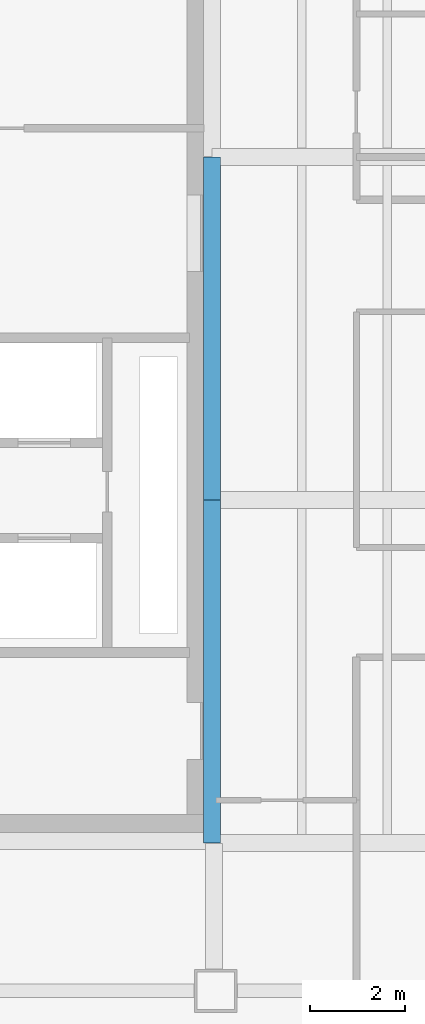
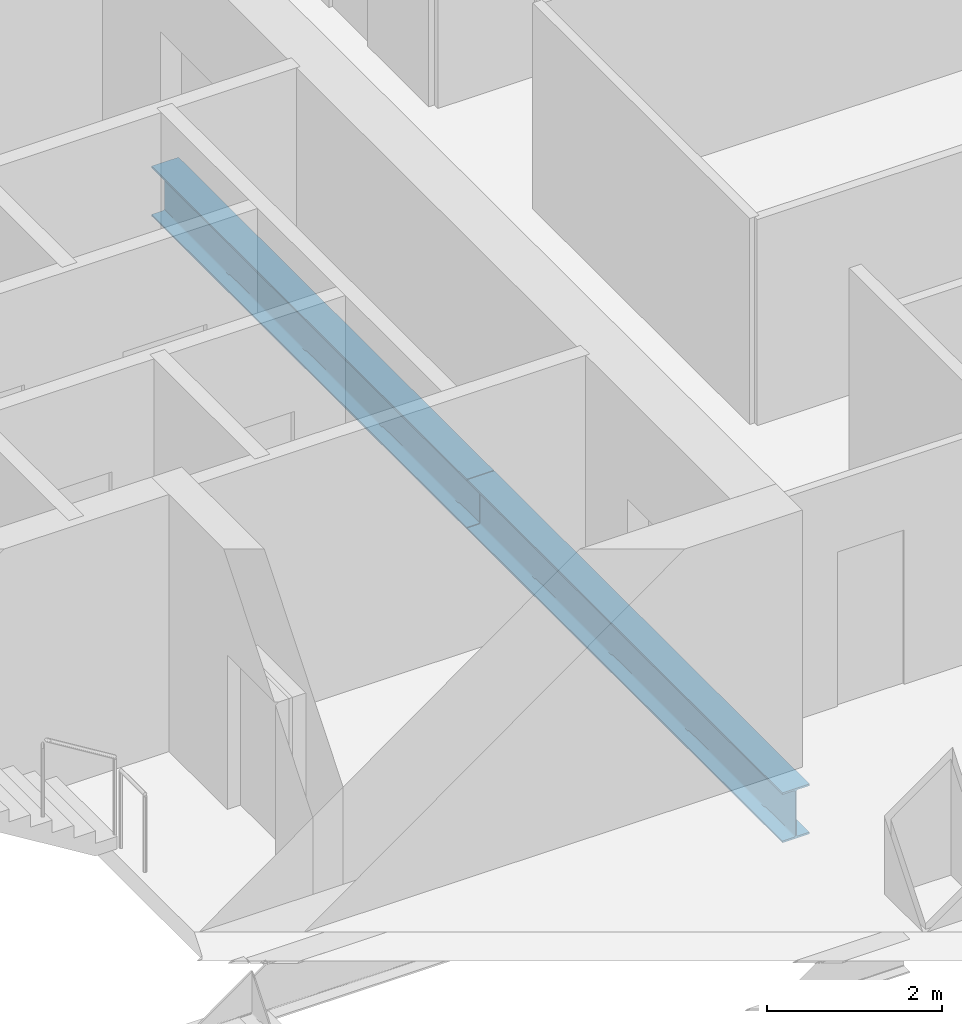
# One storey, part 3 of 24: 2 beams.
"""IFC4 building model written with IfcOpenShell, lengths in metres."""

from ifc_helpers import new_model, si_unit, direction, frame, origin, origin_2d, place, context, subcontext, project, spatial, i_section, extrude, material, material_profile, profile_set, type_object, element, save


model = new_model("IFC4")

# Units and contexts
model_context = context("Model", 3, precision=1e-05, world=origin(), true_north=direction((0.0, 1.0)))
body_context = subcontext(model_context, "Body", "Model", "MODEL_VIEW")
ifc_project = project(units=[si_unit("LENGTHUNIT", "METRE"), si_unit("AREAUNIT", "SQUARE_METRE"), si_unit("VOLUMEUNIT", "CUBIC_METRE"), si_unit("PLANEANGLEUNIT", "RADIAN"), si_unit("MASSUNIT", "GRAM", prefix="KILO")], contexts=[model_context])

# Site, building, storey
site_placement = place(None, origin())
site = spatial("IfcSite", under=ifc_project, at=site_placement, CompositionType="ELEMENT")
building_placement = place(site_placement, origin())
building = spatial("IfcBuilding", under=site, at=building_placement, Name="Cobrela Telecom Tower", CompositionType="ELEMENT")
storey_placement = place(building_placement, frame((0.0, 0.0, 136.85009765625)))
storey = spatial("IfcBuildingStorey", under=building, at=storey_placement, Name="L34", CompositionType="ELEMENT", Elevation=136.85009765625)

# Beams
ifc_material = material(Name="Steel ASTM A992 Grade 50", Category="steel")
ifc_material_profile = material_profile(ifc_material, i_section(OverallWidth=0.35595703125, OverallDepth=0.696044921875, WebThickness=0.015380859375, FlangeThickness=0.024658203125, FilletRadius=0.01806640625, at=origin_2d()), Name="W27X146")
ifc_profile_set = profile_set([ifc_material_profile], Name="Steel ASTM A992 Grade 50")
beam_type = type_object("IfcBeamType", Name="BM-GIRD-05", PredefinedType="USERDEFINED", material=ifc_profile_set)
for number, where, z_axis, x_axis, name in (
    (1, (14.320068359375, 7.205078125, -0.6181640625), (0.0, 1.0, 0.0), (-1.0, 0.0, 0.0), "L34 Primary Girder Y34"),
    (2, (14.320068359375, 14.405029296875, -0.6181640625), (0.0, 1.0, 0.0), (-1.0, 0.0, 0.0), "L34 Primary Girder Y35"),
):
    element("IfcBeam", number, at=place(storey_placement, frame(where, z_axis=z_axis, x_axis=x_axis)), inside=storey, type_object=beam_type, Name=name, ObjectType="GIRDER", PredefinedType="USERDEFINED", context=body_context, shape_type="SweptSolid", body=[
        extrude(i_section(OverallWidth=0.35595703125, OverallDepth=0.696044921875, WebThickness=0.015380859375, FlangeThickness=0.024658203125, FilletRadius=0.01806640625, at=origin_2d()), origin(), (0.0, 0.0, 1.0), 7.18994140625),
    ])

save(model, "model.ifc")
